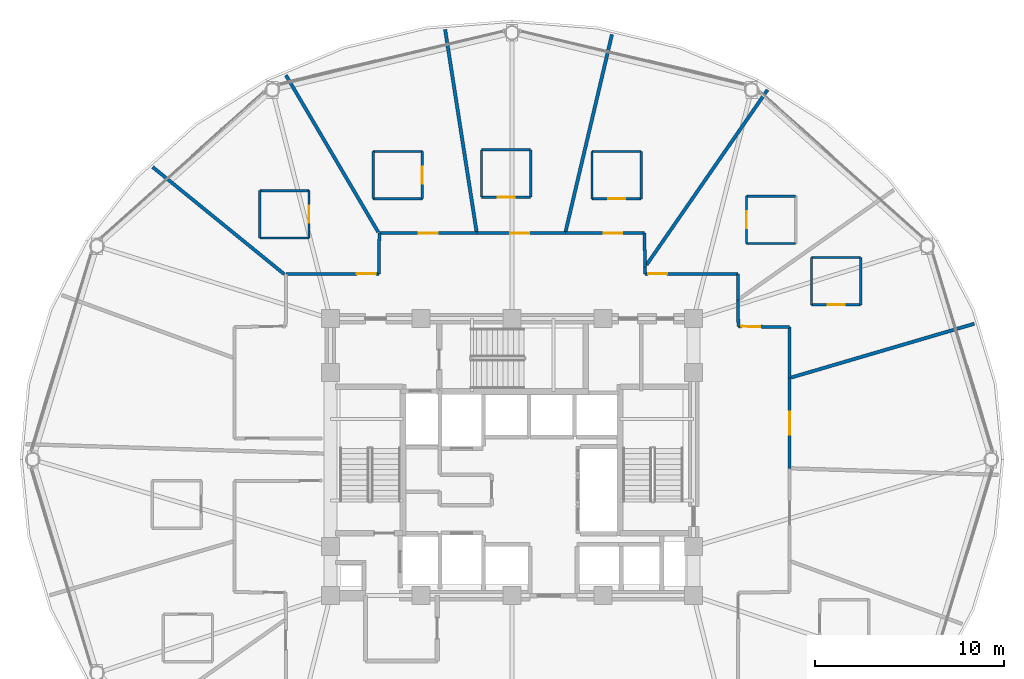
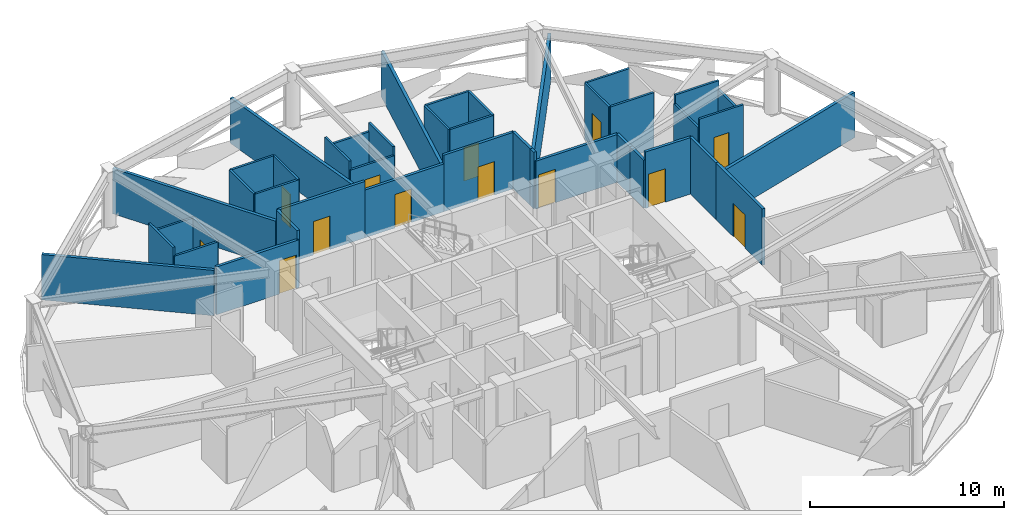
# One storey, part 26 of 31: 42 walls, 13 doors, 13 openings.
"""IFC4 building model written with IfcOpenShell, lengths in metres."""

import ifcopenshell
import ifcopenshell.guid

model = None  # the IFC model being written
_history = None  # IfcOwnerHistory: only IFC2X3 demands one
_inside = {}  # id of a spatial element -> (the spatial element, [elements in it])
_under = {}  # id of a project, library or spatial element -> (it, [spatial elements below it])
_declared = {}  # id of a project -> (the project, [libraries it declares])
_typed = {}  # id of a type object -> (the type object, [elements of that type])
_made_of = {}  # id of a material, layer set ... -> (it, [elements and type objects made of it])


def new_model(schema):
    """Start an empty IFC model of exactly this schema.

    Asked for "IFC4X3", IfcOpenShell would pick the latest addendum, in which some entities
    have other attributes; the version numbers below select the first issue.
    IFC2X3 requires an IfcOwnerHistory on every rooted entity: one is made here for all.
    """
    global model, _history
    if schema == "IFC4X3":
        model = ifcopenshell.file(schema_version=(4, 3, 0, 0))
    else:
        model = ifcopenshell.file(schema=schema)
    _inside.clear()
    _under.clear()
    _declared.clear()
    _typed.clear()
    _made_of.clear()
    _history = None
    if model.schema == "IFC2X3":
        org = make("IfcOrganization", Name="unknown")
        user = make(
            "IfcPersonAndOrganization",
            ThePerson=make("IfcPerson", FamilyName="unknown"),
            TheOrganization=org,
        )
        app = make(
            "IfcApplication",
            ApplicationDeveloper=org,
            Version="unknown",
            ApplicationFullName="unknown",
            ApplicationIdentifier="unknown",
        )
        _history = make(
            "IfcOwnerHistory",
            OwningUser=user,
            OwningApplication=app,
            ChangeAction="ADDED",
            CreationDate=0,
        )
    return model


def make(cls, **values):
    """One entity of the class cls with the attributes given. An attribute that is None is left unset."""
    return model.create_entity(
        cls, **{name: value for name, value in values.items() if value is not None}
    )


def rooted(cls, **values):
    """An entity with a GlobalId (a new one), such as an element, a storey or a relation."""
    return make(cls, GlobalId=ifcopenshell.guid.new(), OwnerHistory=_history, **values)


def si_unit(unit_type, name, prefix=None):
    """IfcSIUnit, for example si_unit("LENGTHUNIT", "METRE", prefix="MILLI")."""
    return make("IfcSIUnit", UnitType=unit_type, Prefix=prefix, Name=name)


def assignment(units):
    """IfcUnitAssignment: the units of a project."""
    return None if units is None else make("IfcUnitAssignment", Units=units)


def point(xyz):
    """IfcCartesianPoint."""
    return None if xyz is None else make("IfcCartesianPoint", Coordinates=xyz)


def direction(xyz):
    """IfcDirection."""
    return None if xyz is None else make("IfcDirection", DirectionRatios=xyz)


def frame(location, z_axis=None, x_axis=None):
    """IfcAxis2Placement3D, a coordinate frame: its origin and axes. An axis left out is left unset."""
    return make(
        "IfcAxis2Placement3D",
        Location=point(location),
        Axis=direction(z_axis),
        RefDirection=direction(x_axis),
    )


def frame_2d(location, x_axis=None):
    """IfcAxis2Placement2D, a coordinate frame in the plane: its origin and x axis."""
    return make(
        "IfcAxis2Placement2D", Location=point(location), RefDirection=direction(x_axis)
    )


def origin():
    """The frame at (0, 0, 0) with its axes left unset."""
    return frame((0.0, 0.0, 0.0))


def place(relative_to, where):
    """IfcLocalPlacement: puts the frame where relative to a parent placement (None: the world)."""
    return make(
        "IfcLocalPlacement", PlacementRelTo=relative_to, RelativePlacement=where
    )


def context(
    kind, dimensions, precision=None, world=None, true_north=None, identifier=None
):
    """IfcGeometricRepresentationContext, for example the 3D "Model" context."""
    return make(
        "IfcGeometricRepresentationContext",
        ContextIdentifier=identifier,
        ContextType=kind,
        CoordinateSpaceDimension=dimensions,
        Precision=precision,
        WorldCoordinateSystem=world,
        TrueNorth=true_north,
    )


def subcontext(parent, identifier, kind, view, scale=None):
    """IfcGeometricRepresentationSubContext, for example "Body" below "Model"."""
    return make(
        "IfcGeometricRepresentationSubContext",
        ContextIdentifier=identifier,
        ContextType=kind,
        ParentContext=parent,
        TargetScale=scale,
        TargetView=view,
    )


def project(units=None, contexts=None):
    """IfcProject with its units and contexts."""
    return rooted(
        "IfcProject",
        Name="project",
        RepresentationContexts=contexts,
        UnitsInContext=assignment(units),
    )


def spatial(cls, under=None, at=None, **own):
    """A site, building, storey or space (cls), placed at a placement, below another one or the project."""
    s = rooted(cls, ObjectPlacement=at, **own)
    if under is not None:
        _under.setdefault(under.id(), (under, []))[1].append(s)
    return s


def profile(cls, at=None, kind="AREA", **sizes):
    """A parametric profile (cls). Its sizes go by their IFC names, for example OverallWidth=200.0."""
    return make(cls, ProfileType=kind, Position=at, **sizes)


def rectangle(**sizes):
    """IfcRectangleProfileDef."""
    return profile("IfcRectangleProfileDef", **sizes)


def extrude(swept, where, along, depth):
    """IfcExtrudedAreaSolid: the profile swept, set in the frame where, extruded along a direction by depth."""
    return make(
        "IfcExtrudedAreaSolid",
        SweptArea=swept,
        Position=where,
        ExtrudedDirection=direction(along),
        Depth=depth,
    )


def shape(context_of_items, identifier, shape_type, items):
    """IfcShapeRepresentation: the items that make up one representation, for example the "Body"."""
    return make(
        "IfcShapeRepresentation",
        ContextOfItems=context_of_items,
        RepresentationIdentifier=identifier,
        RepresentationType=shape_type,
        Items=items,
    )


def material(Name=None, Category=None):
    """IfcMaterial."""
    return make("IfcMaterial", Name=Name, Category=Category)


def layer(
    of_material, thickness, ventilated=None, Name=None, Category=None, Priority=None
):
    """IfcMaterialLayer: one layer of a wall or slab, of a material (None: an air gap)."""
    return make(
        "IfcMaterialLayer",
        Material=of_material,
        LayerThickness=thickness,
        IsVentilated=ventilated,
        Name=Name,
        Category=Category,
        Priority=Priority,
    )


def layer_set(layers, Name=None):
    """IfcMaterialLayerSet."""
    return make("IfcMaterialLayerSet", MaterialLayers=layers, LayerSetName=Name)


def made_of(thing, what):
    """Note that an element or type object is made of a material, layer set ...; save() writes the relation."""
    if what is not None:
        _made_of.setdefault(what.id(), (what, []))[1].append(thing)
    return thing


def type_object(cls, material=None, **own):
    """A type object (cls), such as IfcWallType, which elements share."""
    return made_of(rooted(cls, **own), material)


def element(
    cls,
    number,
    at=None,
    inside=None,
    cuts=None,
    type_object=None,
    material=None,
    context=None,
    identifier="Body",
    shape_type=None,
    held_by="IfcProductDefinitionShape",
    body=None,
    shapes=None,
    **own,
):
    """One element of the class cls, such as IfcWall. Its Tag is "e" and its number.

    at: its placement. inside: the storey or other place that contains it. cuts: it is an
    opening in that element (IfcRelVoidsElement). A single representation is given by context,
    identifier, shape_type and body (its items); several are given by shapes. held_by: the class
    of the entity that holds the representations. save() writes the other relations.
    """
    e = rooted(cls, Tag="e%d" % number, ObjectPlacement=at, **own)
    if body is not None:
        shapes = [shape(context, identifier, shape_type, body)]
    if shapes is not None:
        e.Representation = make(held_by, Representations=shapes)
    if inside is not None:
        _inside.setdefault(inside.id(), (inside, []))[1].append(e)
    if cuts is not None:
        rooted(
            "IfcRelVoidsElement", RelatingBuildingElement=cuts, RelatedOpeningElement=e
        )
    if type_object is not None:
        _typed.setdefault(type_object.id(), (type_object, []))[1].append(e)
    return made_of(e, material)


def fill(opening, filler):
    """IfcRelFillsElement: the door or window that sits in an opening."""
    return rooted(
        "IfcRelFillsElement",
        RelatingOpeningElement=opening,
        RelatedBuildingElement=filler,
    )


def aggregate(whole, parts):
    """IfcRelAggregates: a whole, such as a stair, and the parts it consists of."""
    return rooted("IfcRelAggregates", RelatingObject=whole, RelatedObjects=parts)


def save(model, path):
    """Write the relations noted so far, then the file.

    IfcRelAggregates (storeys below a building ...), IfcRelContainedInSpatialStructure (elements
    in a storey), IfcRelDefinesByType, IfcRelAssociatesMaterial and IfcRelDeclares: one each for
    every whole, place, type object, material and project.
    """
    for whole, parts in _under.values():
        aggregate(whole, parts)
    for where, things in _inside.values():
        rooted(
            "IfcRelContainedInSpatialStructure",
            RelatedElements=things,
            RelatingStructure=where,
        )
    for kind, things in _typed.values():
        rooted("IfcRelDefinesByType", RelatedObjects=things, RelatingType=kind)
    for what, things in _made_of.values():
        rooted("IfcRelAssociatesMaterial", RelatedObjects=things, RelatingMaterial=what)
    for by, libraries in _declared.values():
        rooted("IfcRelDeclares", RelatingContext=by, RelatedDefinitions=libraries)
    model.write(path)


model = new_model("IFC4")

# Units and contexts
model_context = context("Model", 3, precision=1e-05, world=origin(), true_north=direction((0.0, 1.0)))
body_context = subcontext(model_context, "Body", "Model", "MODEL_VIEW")
ifc_project = project(units=[si_unit("LENGTHUNIT", "METRE"), si_unit("AREAUNIT", "SQUARE_METRE"), si_unit("VOLUMEUNIT", "CUBIC_METRE"), si_unit("PLANEANGLEUNIT", "RADIAN"), si_unit("MASSUNIT", "GRAM", prefix="KILO")], contexts=[model_context])

# Site, building, storey
site_placement = place(None, origin())
site = spatial("IfcSite", under=ifc_project, at=site_placement, CompositionType="ELEMENT")
building_placement = place(site_placement, origin())
building = spatial("IfcBuilding", under=site, at=building_placement, Name="Vantalir Tower", CompositionType="ELEMENT")
storey_placement = place(building_placement, frame((0.0, 0.0, 115.949951171875)))
storey = spatial("IfcBuildingStorey", under=building, at=storey_placement, Name="L28", CompositionType="ELEMENT", Elevation=115.949951171875)

# Wall, opening, door
ifc_material_1 = material(Name="Moisture-resistant en-suite partition", Category="gypsum")
ifc_layer_1 = layer(ifc_material_1, 0.125)
ifc_layer_set_1 = layer_set([ifc_layer_1], Name="Moisture-resistant en-suite partition")
wall_type_1 = type_object("IfcWallType", Name="WL-BATH-125", PredefinedType="PARTITIONING", material=ifc_layer_set_1)
wall_1_placement = place(storey_placement, frame((47.333984375, 33.18310546875, 0.0), z_axis=(0.0, 0.0, 1.0), x_axis=(1.0, 0.0, 0.0)))
wall_1 = element("IfcWall", 1, at=wall_1_placement, inside=storey, type_object=wall_type_1, Name="L28 En-suite 01 South Wall", PredefinedType="PARTITIONING", context=body_context, shape_type="SweptSolid", body=[
    extrude(rectangle(XDim=2.60009765625, YDim=0.125, at=frame_2d((1.300048828125, 0.0))), origin(), (0.0, 0.0, 1.0), 3.550048828125),
])
opening_1_placement = place(wall_1_placement, frame((0.85009765625, 0.0, 0.0)))
opening_1 = element("IfcOpeningElement", 2, at=opening_1_placement, cuts=wall_1, Name="Opening D-WC", PredefinedType="OPENING", context=body_context, shape_type="SweptSolid", body=[
    extrude(rectangle(XDim=0.89990234375, YDim=2.10009765625, at=frame_2d((0.449951171875, 1.050048828125))), frame((0.0, 0.072509765625, 0.0), z_axis=(0.0, -1.0, 0.0), x_axis=(1.0, 0.0, 0.0)), (0.0, 0.0, 1.0), 0.14501953125),
])
ifc_material_2 = material(Name="Moisture-resistant hardwood door", Category="wood")
door_type_1 = type_object("IfcDoorType", Name="DR-ENSUITE-900", OperationType="NOTDEFINED", PredefinedType="DOOR", material=ifc_material_2)
door_1_placement = place(opening_1_placement, origin())
door_1 = element("IfcDoor", 3, at=door_1_placement, inside=storey, type_object=door_type_1, Name="L28 En-suite 01 Door", OperationType="SINGLE_SWING_RIGHT", OverallHeight=2.10009765625, OverallWidth=0.89990234375, PredefinedType="DOOR", context=body_context, shape_type="SweptSolid", body=[
    extrude(rectangle(XDim=0.89990234375, YDim=2.10009765625, at=frame_2d((0.449951171875, 1.050048828125))), frame((0.0, 0.02490234375, 0.0), z_axis=(0.0, -1.0, 0.0), x_axis=(1.0, 0.0, 0.0)), (0.0, 0.0, 1.0), 0.050048828125),
])
fill(opening_1, door_1)

# Walls
wall_2_placement = place(storey_placement, frame((47.333984375, 35.68310546875, 0.0), z_axis=(0.0, 0.0, 1.0), x_axis=(1.0, 0.0, 0.0)))
element("IfcWall", 4, at=wall_2_placement, inside=storey, type_object=wall_type_1, Name="L28 En-suite 01 North Wall", PredefinedType="PARTITIONING", context=body_context, shape_type="SweptSolid", body=[
    extrude(rectangle(XDim=2.60009765625, YDim=0.125, at=frame_2d((1.300048828125, 0.0))), origin(), (0.0, 0.0, 1.0), 3.550048828125),
])
for number, where, z_axis, x_axis, name in (
    (5, (47.333984375, 33.18310546875, 0.0), (0.0, 0.0, 1.0), (0.0, 1.0, 0.0), "L28 En-suite 01 West Wall"),
    (6, (49.93408203125, 33.18310546875, 0.0), (0.0, 0.0, 1.0), (0.0, 1.0, 0.0), "L28 En-suite 01 East Wall"),
):
    element("IfcWall", number, at=place(storey_placement, frame(where, z_axis=z_axis, x_axis=x_axis)), inside=storey, type_object=wall_type_1, Name=name, PredefinedType="PARTITIONING", context=body_context, shape_type="SweptSolid", body=[
        extrude(rectangle(XDim=2.5, YDim=0.125, at=frame_2d((1.25, 0.0))), origin(), (0.0, 0.0, 1.0), 3.006103515625),
    ])
for number, where, z_axis, x_axis, name in (
    (7, (43.89892578125, 36.424072265625, 0.0), (0.0, 0.0, 1.0), (1.0, 0.0, 0.0), "L28 En-suite 02 South Wall"),
    (8, (43.89892578125, 38.924072265625, 0.0), (0.0, 0.0, 1.0), (1.0, 0.0, 0.0), "L28 En-suite 02 North Wall"),
):
    element("IfcWall", number, at=place(storey_placement, frame(where, z_axis=z_axis, x_axis=x_axis)), inside=storey, type_object=wall_type_1, Name=name, PredefinedType="PARTITIONING", context=body_context, shape_type="SweptSolid", body=[
        extrude(rectangle(XDim=2.60009765625, YDim=0.125, at=frame_2d((1.300048828125, 0.0))), origin(), (0.0, 0.0, 1.0), 3.550048828125),
    ])

# Wall, opening, door
wall_3_placement = place(storey_placement, frame((43.89892578125, 36.424072265625, 0.0), z_axis=(0.0, 0.0, 1.0), x_axis=(0.0, 1.0, 0.0)))
wall_3 = element("IfcWall", 9, at=wall_3_placement, inside=storey, type_object=wall_type_1, Name="L28 En-suite 02 West Wall", PredefinedType="PARTITIONING", context=body_context, shape_type="SweptSolid", body=[
    extrude(rectangle(XDim=2.5, YDim=0.125, at=frame_2d((1.25, 0.0))), origin(), (0.0, 0.0, 1.0), 3.550048828125),
])
opening_2_placement = place(wall_3_placement, frame((0.800048828125, 0.0, 0.0)))
opening_2 = element("IfcOpeningElement", 10, at=opening_2_placement, cuts=wall_3, Name="Opening D-WC", PredefinedType="OPENING", context=body_context, shape_type="SweptSolid", body=[
    extrude(rectangle(XDim=0.89990234375, YDim=2.10009765625, at=frame_2d((0.449951171875, 1.050048828125))), frame((0.0, 0.072509765625, 0.0), z_axis=(0.0, -1.0, 0.0), x_axis=(1.0, 0.0, 0.0)), (0.0, 0.0, 1.0), 0.14501953125),
])
door_2_placement = place(opening_2_placement, frame((0.89990234375, 0.0, 0.0), z_axis=(0.0, 0.0, 1.0), x_axis=(-1.0, 0.0, 0.0)))
door_2 = element("IfcDoor", 11, at=door_2_placement, inside=storey, type_object=door_type_1, Name="L28 En-suite 02 Door", OperationType="SINGLE_SWING_LEFT", OverallHeight=2.10009765625, OverallWidth=0.89990234375, PredefinedType="DOOR", context=body_context, shape_type="SweptSolid", body=[
    extrude(rectangle(XDim=0.89990234375, YDim=2.10009765625, at=frame_2d((0.449951171875, 1.050048828125))), frame((0.0, 0.02490234375, 0.0), z_axis=(0.0, -1.0, 0.0), x_axis=(1.0, 0.0, 0.0)), (0.0, 0.0, 1.0), 0.050048828125),
])
fill(opening_2, door_2)

wall_4_placement = place(storey_placement, frame((35.72998046875, 38.784912109375, 0.0), z_axis=(0.0, 0.0, 1.0), x_axis=(1.0, 0.0, 0.0)))
wall_4 = element("IfcWall", 12, at=wall_4_placement, inside=storey, type_object=wall_type_1, Name="L28 En-suite 03 South Wall", PredefinedType="PARTITIONING", context=body_context, shape_type="SweptSolid", body=[
    extrude(rectangle(XDim=2.60009765625, YDim=0.125, at=frame_2d((1.300048828125, 0.0))), origin(), (0.0, 0.0, 1.0), 3.550048828125),
])
opening_3_placement = place(wall_4_placement, frame((0.85009765625, 0.0, 0.0)))
opening_3 = element("IfcOpeningElement", 13, at=opening_3_placement, cuts=wall_4, Name="Opening D-WC", PredefinedType="OPENING", context=body_context, shape_type="SweptSolid", body=[
    extrude(rectangle(XDim=0.89990234375, YDim=2.10009765625, at=frame_2d((0.449951171875, 1.050048828125))), frame((0.0, 0.072509765625, 0.0), z_axis=(0.0, -1.0, 0.0), x_axis=(1.0, 0.0, 0.0)), (0.0, 0.0, 1.0), 0.14501953125),
])
door_3_placement = place(opening_3_placement, origin())
door_3 = element("IfcDoor", 14, at=door_3_placement, inside=storey, type_object=door_type_1, Name="L28 En-suite 03 Door", OperationType="SINGLE_SWING_RIGHT", OverallHeight=2.10009765625, OverallWidth=0.89990234375, PredefinedType="DOOR", context=body_context, shape_type="SweptSolid", body=[
    extrude(rectangle(XDim=0.89990234375, YDim=2.10009765625, at=frame_2d((0.449951171875, 1.050048828125))), frame((0.0, 0.02490234375, 0.0), z_axis=(0.0, -1.0, 0.0), x_axis=(1.0, 0.0, 0.0)), (0.0, 0.0, 1.0), 0.050048828125),
])
fill(opening_3, door_3)

# Walls
wall_5_placement = place(storey_placement, frame((35.72998046875, 41.284912109375, 0.0), z_axis=(0.0, 0.0, 1.0), x_axis=(1.0, 0.0, 0.0)))
element("IfcWall", 15, at=wall_5_placement, inside=storey, type_object=wall_type_1, Name="L28 En-suite 03 North Wall", PredefinedType="PARTITIONING", context=body_context, shape_type="SweptSolid", body=[
    extrude(rectangle(XDim=2.60009765625, YDim=0.125, at=frame_2d((1.300048828125, 0.0))), origin(), (0.0, 0.0, 1.0), 3.550048828125),
])
for number, where, z_axis, x_axis, name in (
    (16, (35.72998046875, 38.784912109375, 0.0), (0.0, 0.0, 1.0), (0.0, 1.0, 0.0), "L28 En-suite 03 West Wall"),
    (17, (38.330078125, 38.784912109375, 0.0), (0.0, 0.0, 1.0), (0.0, 1.0, 0.0), "L28 En-suite 03 East Wall"),
):
    element("IfcWall", number, at=place(storey_placement, frame(where, z_axis=z_axis, x_axis=x_axis)), inside=storey, type_object=wall_type_1, Name=name, PredefinedType="PARTITIONING", context=body_context, shape_type="SweptSolid", body=[
        extrude(rectangle(XDim=2.5, YDim=0.125, at=frame_2d((1.25, 0.0))), origin(), (0.0, 0.0, 1.0), 3.550048828125),
    ])

# Wall, opening, door
wall_6_placement = place(storey_placement, frame((29.887939453125, 38.875, 0.0), z_axis=(0.0, 0.0, 1.0), x_axis=(1.0, 0.0, 0.0)))
wall_6 = element("IfcWall", 18, at=wall_6_placement, inside=storey, type_object=wall_type_1, Name="L28 En-suite 04 South Wall", PredefinedType="PARTITIONING", context=body_context, shape_type="SweptSolid", body=[
    extrude(rectangle(XDim=2.60009765625, YDim=0.125, at=frame_2d((1.300048828125, 0.0))), origin(), (0.0, 0.0, 1.0), 3.006103515625),
])
opening_4_placement = place(wall_6_placement, frame((0.85009765625, 0.0, 0.0)))
opening_4 = element("IfcOpeningElement", 19, at=opening_4_placement, cuts=wall_6, Name="Opening D-WC", PredefinedType="OPENING", context=body_context, shape_type="SweptSolid", body=[
    extrude(rectangle(XDim=0.89990234375, YDim=2.10009765625, at=frame_2d((0.449951171875, 1.050048828125))), frame((0.0, 0.072509765625, 0.0), z_axis=(0.0, -1.0, 0.0), x_axis=(1.0, 0.0, 0.0)), (0.0, 0.0, 1.0), 0.14501953125),
])
door_4_placement = place(opening_4_placement, origin())
door_4 = element("IfcDoor", 20, at=door_4_placement, inside=storey, type_object=door_type_1, Name="L28 En-suite 04 Door", OperationType="SINGLE_SWING_LEFT", OverallHeight=2.10009765625, OverallWidth=0.89990234375, PredefinedType="DOOR", context=body_context, shape_type="SweptSolid", body=[
    extrude(rectangle(XDim=0.89990234375, YDim=2.10009765625, at=frame_2d((0.449951171875, 1.050048828125))), frame((0.0, 0.02490234375, 0.0), z_axis=(0.0, -1.0, 0.0), x_axis=(1.0, 0.0, 0.0)), (0.0, 0.0, 1.0), 0.050048828125),
])
fill(opening_4, door_4)

# Walls
wall_7_placement = place(storey_placement, frame((29.887939453125, 41.375, 0.0), z_axis=(0.0, 0.0, 1.0), x_axis=(1.0, 0.0, 0.0)))
element("IfcWall", 21, at=wall_7_placement, inside=storey, type_object=wall_type_1, Name="L28 En-suite 04 North Wall", PredefinedType="PARTITIONING", context=body_context, shape_type="SweptSolid", body=[
    extrude(rectangle(XDim=2.60009765625, YDim=0.125, at=frame_2d((1.300048828125, 0.0))), origin(), (0.0, 0.0, 1.0), 3.006103515625),
])
for number, where, z_axis, x_axis, name in (
    (22, (29.887939453125, 38.875, 0.0), (0.0, 0.0, 1.0), (0.0, 1.0, 0.0), "L28 En-suite 04 West Wall"),
    (23, (32.488037109375, 38.875, 0.0), (0.0, 0.0, 1.0), (0.0, 1.0, 0.0), "L28 En-suite 04 East Wall"),
):
    element("IfcWall", number, at=place(storey_placement, frame(where, z_axis=z_axis, x_axis=x_axis)), inside=storey, type_object=wall_type_1, Name=name, PredefinedType="PARTITIONING", context=body_context, shape_type="SweptSolid", body=[
        extrude(rectangle(XDim=2.5, YDim=0.125, at=frame_2d((1.25, 0.0))), origin(), (0.0, 0.0, 1.0), 3.550048828125),
    ])
for number, where, z_axis, x_axis, name in (
    (24, (24.162109375, 38.791015625, 0.0), (0.0, 0.0, 1.0), (1.0, 0.0, 0.0), "L28 En-suite 05 South Wall"),
    (25, (24.162109375, 41.291015625, 0.0), (0.0, 0.0, 1.0), (1.0, 0.0, 0.0), "L28 En-suite 05 North Wall"),
):
    element("IfcWall", number, at=place(storey_placement, frame(where, z_axis=z_axis, x_axis=x_axis)), inside=storey, type_object=wall_type_1, Name=name, PredefinedType="PARTITIONING", context=body_context, shape_type="SweptSolid", body=[
        extrude(rectangle(XDim=2.599853515625, YDim=0.125, at=frame_2d((1.2998046875, 0.0))), origin(), (0.0, 0.0, 1.0), 3.550048828125),
    ])
wall_8_placement = place(storey_placement, frame((24.162109375, 38.791015625, 0.0), z_axis=(0.0, 0.0, 1.0), x_axis=(0.0, 1.0, 0.0)))
element("IfcWall", 26, at=wall_8_placement, inside=storey, type_object=wall_type_1, Name="L28 En-suite 05 West Wall", PredefinedType="PARTITIONING", context=body_context, shape_type="SweptSolid", body=[
    extrude(rectangle(XDim=2.5, YDim=0.125, at=frame_2d((1.25, 0.0))), origin(), (0.0, 0.0, 1.0), 3.550048828125),
])

# Wall, opening, door
wall_9_placement = place(storey_placement, frame((26.761962890625, 38.791015625, 0.0), z_axis=(0.0, 0.0, 1.0), x_axis=(0.0, 1.0, 0.0)))
wall_9 = element("IfcWall", 27, at=wall_9_placement, inside=storey, type_object=wall_type_1, Name="L28 En-suite 05 East Wall", PredefinedType="PARTITIONING", context=body_context, shape_type="SweptSolid", body=[
    extrude(rectangle(XDim=2.5, YDim=0.125, at=frame_2d((1.25, 0.0))), origin(), (0.0, 0.0, 1.0), 3.550048828125),
])
opening_5_placement = place(wall_9_placement, frame((0.800048828125, 0.0, 0.0)))
opening_5 = element("IfcOpeningElement", 28, at=opening_5_placement, cuts=wall_9, Name="Opening D-WC", PredefinedType="OPENING", context=body_context, shape_type="SweptSolid", body=[
    extrude(rectangle(XDim=0.89990234375, YDim=2.10009765625, at=frame_2d((0.449951171875, 1.050048828125))), frame((0.0, 0.072509765625, 0.0), z_axis=(0.0, -1.0, 0.0), x_axis=(1.0, 0.0, 0.0)), (0.0, 0.0, 1.0), 0.14501953125),
])
door_5_placement = place(opening_5_placement, origin())
door_5 = element("IfcDoor", 29, at=door_5_placement, inside=storey, type_object=door_type_1, Name="L28 En-suite 05 Door", OperationType="SINGLE_SWING_RIGHT", OverallHeight=2.10009765625, OverallWidth=0.89990234375, PredefinedType="DOOR", context=body_context, shape_type="SweptSolid", body=[
    extrude(rectangle(XDim=0.89990234375, YDim=2.10009765625, at=frame_2d((0.449951171875, 1.050048828125))), frame((0.0, 0.02490234375, 0.0), z_axis=(0.0, -1.0, 0.0), x_axis=(1.0, 0.0, 0.0)), (0.0, 0.0, 1.0), 0.050048828125),
])
fill(opening_5, door_5)

# Walls
for number, where, z_axis, x_axis, name in (
    (30, (18.166015625, 36.715087890625, 0.0), (0.0, 0.0, 1.0), (1.0, 0.0, 0.0), "L28 En-suite 06 South Wall"),
    (31, (18.166015625, 39.215087890625, 0.0), (0.0, 0.0, 1.0), (1.0, 0.0, 0.0), "L28 En-suite 06 North Wall"),
):
    element("IfcWall", number, at=place(storey_placement, frame(where, z_axis=z_axis, x_axis=x_axis)), inside=storey, type_object=wall_type_1, Name=name, PredefinedType="PARTITIONING", context=body_context, shape_type="SweptSolid", body=[
        extrude(rectangle(XDim=2.60009765625, YDim=0.125, at=frame_2d((1.300048828125, 0.0))), origin(), (0.0, 0.0, 1.0), 3.006103515625),
    ])
wall_10_placement = place(storey_placement, frame((18.166015625, 36.715087890625, 0.0), z_axis=(0.0, 0.0, 1.0), x_axis=(0.0, 1.0, 0.0)))
element("IfcWall", 32, at=wall_10_placement, inside=storey, type_object=wall_type_1, Name="L28 En-suite 06 West Wall", PredefinedType="PARTITIONING", context=body_context, shape_type="SweptSolid", body=[
    extrude(rectangle(XDim=2.5, YDim=0.125, at=frame_2d((1.25, 0.0))), origin(), (0.0, 0.0, 1.0), 3.550048828125),
])

# Wall, opening, door
wall_11_placement = place(storey_placement, frame((20.76611328125, 36.715087890625, 0.0), z_axis=(0.0, 0.0, 1.0), x_axis=(0.0, 1.0, 0.0)))
wall_11 = element("IfcWall", 33, at=wall_11_placement, inside=storey, type_object=wall_type_1, Name="L28 En-suite 06 East Wall", PredefinedType="PARTITIONING", context=body_context, shape_type="SweptSolid", body=[
    extrude(rectangle(XDim=2.5, YDim=0.125, at=frame_2d((1.25, 0.0))), origin(), (0.0, 0.0, 1.0), 3.006103515625),
])
opening_6_placement = place(wall_11_placement, frame((0.800048828125, 0.0, 0.0)))
opening_6 = element("IfcOpeningElement", 34, at=opening_6_placement, cuts=wall_11, Name="Opening D-WC", PredefinedType="OPENING", context=body_context, shape_type="SweptSolid", body=[
    extrude(rectangle(XDim=0.89990234375, YDim=2.10009765625, at=frame_2d((0.449951171875, 1.050048828125))), frame((0.0, 0.072509765625, 0.0), z_axis=(0.0, -1.0, 0.0), x_axis=(1.0, 0.0, 0.0)), (0.0, 0.0, 1.0), 0.14501953125),
])
door_6_placement = place(opening_6_placement, origin())
door_6 = element("IfcDoor", 35, at=door_6_placement, inside=storey, type_object=door_type_1, Name="L28 En-suite 06 Door", OperationType="SINGLE_SWING_LEFT", OverallHeight=2.10009765625, OverallWidth=0.89990234375, PredefinedType="DOOR", context=body_context, shape_type="SweptSolid", body=[
    extrude(rectangle(XDim=0.89990234375, YDim=2.10009765625, at=frame_2d((0.449951171875, 1.050048828125))), frame((0.0, 0.02490234375, 0.0), z_axis=(0.0, -1.0, 0.0), x_axis=(1.0, 0.0, 0.0)), (0.0, 0.0, 1.0), 0.050048828125),
])
fill(opening_6, door_6)

ifc_material_3 = material(Name="Fire-rated hotel corridor acoustic partition", Category="gypsum")
ifc_layer_2 = layer(ifc_material_3, 0.159912109375)
ifc_layer_set_2 = layer_set([ifc_layer_2], Name="Fire-rated hotel corridor acoustic partition")
wall_type_2 = type_object("IfcWallType", Name="WL-CORR-160", PredefinedType="PARTITIONING", material=ifc_layer_set_2)
wall_12_placement = place(storey_placement, frame((19.56005859375, 34.81201171875, 0.0), z_axis=(0.0, 0.0, 1.0), x_axis=(0.999999821253, 0.000597907217, 0.0)))
wall_12 = element("IfcWall", 36, at=wall_12_placement, inside=storey, type_object=wall_type_2, Name="L28 Corridor Partition 06", PredefinedType="PARTITIONING", context=body_context, shape_type="SweptSolid", body=[
    extrude(rectangle(XDim=4.89990234375, YDim=0.159912109375, at=frame_2d((2.449951171875, 0.0))), origin(), (0.0, 0.0, 1.0), 3.006103515625),
])
opening_7_placement = place(wall_12_placement, frame((3.739990234375, 0.0, 0.0)))
opening_7 = element("IfcOpeningElement", 37, at=opening_7_placement, cuts=wall_12, Name="Opening D-GUEST", PredefinedType="OPENING", context=body_context, shape_type="SweptSolid", body=[
    extrude(rectangle(XDim=1.0, YDim=2.10009765625, at=frame_2d((0.5, 1.050048828125))), frame((0.0, 0.08984375, 0.0), z_axis=(0.0, -1.0, 0.0), x_axis=(1.0, 0.0, 0.0)), (0.0, 0.0, 1.0), 0.179931640625),
])
ifc_material_4 = material(Name="Solid-core teak veneer acoustic fire door", Category="wood")
door_type_2 = type_object("IfcDoorType", Name="DR-GUEST-ENTRY-1000", OperationType="NOTDEFINED", PredefinedType="DOOR", material=ifc_material_4)
door_7_placement = place(opening_7_placement, origin())
door_7 = element("IfcDoor", 38, at=door_7_placement, inside=storey, type_object=door_type_2, Name="L28 Deluxe King Hotel Room 06 Door", OperationType="SINGLE_SWING_LEFT", OverallHeight=2.10009765625, OverallWidth=1.0, PredefinedType="DOOR", context=body_context, shape_type="SweptSolid", body=[
    extrude(rectangle(XDim=1.0, YDim=2.10009765625, at=frame_2d((0.5, 1.050048828125))), frame((0.0, 0.02490234375, 0.0), z_axis=(0.0, -1.0, 0.0), x_axis=(1.0, 0.0, 0.0)), (0.0, 0.0, 1.0), 0.050048828125),
])
fill(opening_7, door_7)

# Wall
wall_13_placement = place(storey_placement, frame((24.4599609375, 34.81494140625, 0.0), z_axis=(0.0, 0.0, 1.0), x_axis=(0.011645524132, 0.999932188585, 0.0)))
element("IfcWall", 39, at=wall_13_placement, inside=storey, type_object=wall_type_2, Name="L28 Corridor Partition 07", PredefinedType="PARTITIONING", context=body_context, shape_type="SweptSolid", body=[
    extrude(rectangle(XDim=2.159423828125, YDim=0.159912109375, at=frame_2d((1.07958984375, 0.0))), origin(), (0.0, 0.0, 1.0), 3.550048828125),
])

# Wall, opening, door
wall_14_placement = place(storey_placement, frame((24.485107421875, 36.97412109375, 0.0), z_axis=(0.0, 0.0, 1.0), x_axis=(0.999999928165, 0.000379039109, 0.0)))
wall_14 = element("IfcWall", 40, at=wall_14_placement, inside=storey, type_object=wall_type_2, Name="L28 Corridor Partition 08", PredefinedType="PARTITIONING", context=body_context, shape_type="SweptSolid", body=[
    extrude(rectangle(XDim=5.15283203125, YDim=0.159912109375, at=frame_2d((2.576416015625, 0.0))), origin(), (0.0, 0.0, 1.0), 3.550048828125),
])
opening_8_placement = place(wall_14_placement, frame((2.076904296875, 0.0, 0.0)))
opening_8 = element("IfcOpeningElement", 41, at=opening_8_placement, cuts=wall_14, Name="Opening D-GUEST", PredefinedType="OPENING", context=body_context, shape_type="SweptSolid", body=[
    extrude(rectangle(XDim=1.0, YDim=2.10009765625, at=frame_2d((0.5, 1.050048828125))), frame((0.0, 0.08984375, 0.0), z_axis=(0.0, -1.0, 0.0), x_axis=(1.0, 0.0, 0.0)), (0.0, 0.0, 1.0), 0.179931640625),
])
door_8_placement = place(opening_8_placement, origin())
door_8 = element("IfcDoor", 42, at=door_8_placement, inside=storey, type_object=door_type_2, Name="L28 Twin Queen Hotel Room 05 Door", OperationType="SINGLE_SWING_RIGHT", OverallHeight=2.10009765625, OverallWidth=1.0, PredefinedType="DOOR", context=body_context, shape_type="SweptSolid", body=[
    extrude(rectangle(XDim=1.0, YDim=2.10009765625, at=frame_2d((0.5, 1.050048828125))), frame((0.0, 0.02490234375, 0.0), z_axis=(0.0, -1.0, 0.0), x_axis=(1.0, 0.0, 0.0)), (0.0, 0.0, 1.0), 0.050048828125),
])
fill(opening_8, door_8)

wall_15_placement = place(storey_placement, frame((29.637939453125, 36.97607421875, 0.0), z_axis=(0.0, 0.0, 1.0), x_axis=(1.0, 0.0, 0.0)))
wall_15 = element("IfcWall", 43, at=wall_15_placement, inside=storey, type_object=wall_type_2, Name="L28 Corridor Partition 09", PredefinedType="PARTITIONING", context=body_context, shape_type="SweptSolid", body=[
    extrude(rectangle(XDim=4.677978515625, YDim=0.159912109375, at=frame_2d((2.3388671875, 0.0))), origin(), (0.0, 0.0, 1.0), 3.006103515625),
])
opening_9_placement = place(wall_15_placement, frame((1.76611328125, 0.0, 0.0)))
opening_9 = element("IfcOpeningElement", 44, at=opening_9_placement, cuts=wall_15, Name="Opening D-GUEST", PredefinedType="OPENING", context=body_context, shape_type="SweptSolid", body=[
    extrude(rectangle(XDim=1.0, YDim=2.10009765625, at=frame_2d((0.5, 1.050048828125))), frame((0.0, 0.08984375, 0.0), z_axis=(0.0, -1.0, 0.0), x_axis=(1.0, 0.0, 0.0)), (0.0, 0.0, 1.0), 0.179931640625),
])
door_9_placement = place(opening_9_placement, origin())
door_9 = element("IfcDoor", 45, at=door_9_placement, inside=storey, type_object=door_type_2, Name="L28 Twin Queen Hotel Room 04 Door", OperationType="SINGLE_SWING_LEFT", OverallHeight=2.10009765625, OverallWidth=1.0, PredefinedType="DOOR", context=body_context, shape_type="SweptSolid", body=[
    extrude(rectangle(XDim=1.0, YDim=2.10009765625, at=frame_2d((0.5, 1.050048828125))), frame((0.0, 0.02490234375, 0.0), z_axis=(0.0, -1.0, 0.0), x_axis=(1.0, 0.0, 0.0)), (0.0, 0.0, 1.0), 0.050048828125),
])
fill(opening_9, door_9)

wall_16_placement = place(storey_placement, frame((34.31591796875, 36.97607421875, 0.0), z_axis=(0.0, 0.0, 1.0), x_axis=(0.999999972813, 0.000233181759, 0.0)))
wall_16 = element("IfcWall", 46, at=wall_16_placement, inside=storey, type_object=wall_type_2, Name="L28 Corridor Partition 10", PredefinedType="PARTITIONING", context=body_context, shape_type="SweptSolid", body=[
    extrude(rectangle(XDim=4.18798828125, YDim=0.159912109375, at=frame_2d((2.093994140625, 0.0))), origin(), (0.0, 0.0, 1.0), 3.550048828125),
])
opening_10_placement = place(wall_16_placement, frame((2.02392578125, 0.0, 0.0)))
opening_10 = element("IfcOpeningElement", 47, at=opening_10_placement, cuts=wall_16, Name="Opening D-GUEST", PredefinedType="OPENING", context=body_context, shape_type="SweptSolid", body=[
    extrude(rectangle(XDim=1.0, YDim=2.10009765625, at=frame_2d((0.5, 1.050048828125))), frame((0.0, 0.08984375, 0.0), z_axis=(0.0, -1.0, 0.0), x_axis=(1.0, 0.0, 0.0)), (0.0, 0.0, 1.0), 0.179931640625),
])
door_10_placement = place(opening_10_placement, origin())
door_10 = element("IfcDoor", 48, at=door_10_placement, inside=storey, type_object=door_type_2, Name="L28 Deluxe King Hotel Room 03 Door", OperationType="SINGLE_SWING_RIGHT", OverallHeight=2.10009765625, OverallWidth=1.0, PredefinedType="DOOR", context=body_context, shape_type="SweptSolid", body=[
    extrude(rectangle(XDim=1.0, YDim=2.10009765625, at=frame_2d((0.5, 1.050048828125))), frame((0.0, 0.02490234375, 0.0), z_axis=(0.0, -1.0, 0.0), x_axis=(1.0, 0.0, 0.0)), (0.0, 0.0, 1.0), 0.050048828125),
])
fill(opening_10, door_10)

# Walls
wall_17_placement = place(storey_placement, frame((38.50390625, 36.97705078125, 0.0), z_axis=(0.0, 0.0, 1.0), x_axis=(0.016671127333, -0.9998610271, 0.0)))
element("IfcWall", 49, at=wall_17_placement, inside=storey, type_object=wall_type_2, Name="L28 Corridor Partition 11", PredefinedType="PARTITIONING", context=body_context, shape_type="SweptSolid", body=[
    extrude(rectangle(XDim=1.80126953125, YDim=0.159912109375, at=frame_2d((0.900634765625, 0.0))), origin(), (0.0, 0.0, 1.0), 3.550048828125),
])
wall_18_placement = place(storey_placement, frame((38.533935546875, 35.176025390625, 0.0), z_axis=(0.0, 0.0, 1.0), x_axis=(0.016900898743, -0.999857169611, 0.0)))
element("IfcWall", 50, at=wall_18_placement, inside=storey, type_object=wall_type_2, Name="L28 Corridor Partition 12", PredefinedType="PARTITIONING", context=body_context, shape_type="SweptSolid", body=[
    extrude(rectangle(XDim=0.361083984375, YDim=0.159912109375, at=frame_2d((0.1806640625, 0.0))), origin(), (0.0, 0.0, 1.0), 3.550048828125),
])

# Wall, opening, door
wall_19_placement = place(storey_placement, frame((38.5400390625, 34.81494140625, 0.0), z_axis=(0.0, 0.0, 1.0), x_axis=(0.999999029632, -0.001393102783, 0.0)))
wall_19 = element("IfcWall", 51, at=wall_19_placement, inside=storey, type_object=wall_type_2, Name="L28 Corridor Partition 13", PredefinedType="PARTITIONING", context=body_context, shape_type="SweptSolid", body=[
    extrude(rectangle(XDim=4.906982421875, YDim=0.159912109375, at=frame_2d((2.45361328125, 0.0))), origin(), (0.0, 0.0, 1.0), 3.006103515625),
])
opening_11_placement = place(wall_19_placement, frame((0.159912109375, 0.0, 0.0)))
opening_11 = element("IfcOpeningElement", 52, at=opening_11_placement, cuts=wall_19, Name="Opening D-GUEST", PredefinedType="OPENING", context=body_context, shape_type="SweptSolid", body=[
    extrude(rectangle(XDim=1.0, YDim=2.10009765625, at=frame_2d((0.5, 1.050048828125))), frame((0.0, 0.08984375, 0.0), z_axis=(0.0, -1.0, 0.0), x_axis=(1.0, 0.0, 0.0)), (0.0, 0.0, 1.0), 0.179931640625),
])
door_11_placement = place(opening_11_placement, origin())
door_11 = element("IfcDoor", 53, at=door_11_placement, inside=storey, type_object=door_type_2, Name="L28 Deluxe King Hotel Room 02 Door", OperationType="SINGLE_SWING_LEFT", OverallHeight=2.10009765625, OverallWidth=1.0, PredefinedType="DOOR", context=body_context, shape_type="SweptSolid", body=[
    extrude(rectangle(XDim=1.0, YDim=2.10009765625, at=frame_2d((0.5, 1.050048828125))), frame((0.0, 0.02490234375, 0.0), z_axis=(0.0, -1.0, 0.0), x_axis=(1.0, 0.0, 0.0)), (0.0, 0.0, 1.0), 0.050048828125),
])
fill(opening_11, door_11)

# Walls
wall_20_placement = place(storey_placement, frame((43.447021484375, 34.80810546875, 0.0), z_axis=(0.0, 0.0, 1.0), x_axis=(0.006622371337, -0.999978071859, 0.0)))
element("IfcWall", 54, at=wall_20_placement, inside=storey, type_object=wall_type_2, Name="L28 Corridor Partition 14", PredefinedType="PARTITIONING", context=body_context, shape_type="SweptSolid", body=[
    extrude(rectangle(XDim=1.364013671875, YDim=0.159912109375, at=frame_2d((0.68212890625, 0.0))), origin(), (0.0, 0.0, 1.0), 3.006103515625),
])
wall_21_placement = place(storey_placement, frame((43.4560546875, 33.444091796875, 0.0), z_axis=(0.0, 0.0, 1.0), x_axis=(0.006433530564, -0.999979304628, 0.0)))
element("IfcWall", 55, at=wall_21_placement, inside=storey, type_object=wall_type_2, Name="L28 Corridor Partition 15", PredefinedType="PARTITIONING", context=body_context, shape_type="SweptSolid", body=[
    extrude(rectangle(XDim=1.404052734375, YDim=0.159912109375, at=frame_2d((0.7021484375, 0.0))), origin(), (0.0, 0.0, 1.0), 3.006103515625),
])

# Wall, opening, door
wall_22_placement = place(storey_placement, frame((43.465087890625, 32.0400390625, 0.0), z_axis=(0.0, 0.0, 1.0), x_axis=(0.999891263015, -0.014746597764, 0.0)))
wall_22 = element("IfcWall", 56, at=wall_22_placement, inside=storey, type_object=wall_type_2, Name="L28 Corridor Partition 16", PredefinedType="PARTITIONING", context=body_context, shape_type="SweptSolid", body=[
    extrude(rectangle(XDim=2.715087890625, YDim=0.159912109375, at=frame_2d((1.357421875, 0.0))), origin(), (0.0, 0.0, 1.0), 3.550048828125),
])
opening_12_placement = place(wall_22_placement, frame((0.159912109375, 0.0, 0.0)))
opening_12 = element("IfcOpeningElement", 57, at=opening_12_placement, cuts=wall_22, Name="Opening D-GUEST", PredefinedType="OPENING", context=body_context, shape_type="SweptSolid", body=[
    extrude(rectangle(XDim=1.0, YDim=2.10009765625, at=frame_2d((0.5, 1.050048828125))), frame((0.0, 0.08984375, 0.0), z_axis=(0.0, -1.0, 0.0), x_axis=(1.0, 0.0, 0.0)), (0.0, 0.0, 1.0), 0.179931640625),
])
door_12_placement = place(opening_12_placement, origin())
door_12 = element("IfcDoor", 58, at=door_12_placement, inside=storey, type_object=door_type_2, Name="L28 Twin Queen Hotel Room 01 Door", OperationType="SINGLE_SWING_RIGHT", OverallHeight=2.10009765625, OverallWidth=1.0, PredefinedType="DOOR", context=body_context, shape_type="SweptSolid", body=[
    extrude(rectangle(XDim=1.0, YDim=2.10009765625, at=frame_2d((0.5, 1.050048828125))), frame((0.0, 0.02490234375, 0.0), z_axis=(0.0, -1.0, 0.0), x_axis=(1.0, 0.0, 0.0)), (0.0, 0.0, 1.0), 0.050048828125),
])
fill(opening_12, door_12)

# Wall
wall_23_placement = place(storey_placement, frame((46.179931640625, 32.0, 0.0), z_axis=(0.0, 0.0, 1.0), x_axis=(0.0, -1.0, 0.0)))
element("IfcWall", 59, at=wall_23_placement, inside=storey, type_object=wall_type_2, Name="L28 Corridor Partition 17", PredefinedType="PARTITIONING", context=body_context, shape_type="SweptSolid", body=[
    extrude(rectangle(XDim=2.68798828125, YDim=0.159912109375, at=frame_2d((1.343994140625, 0.0))), origin(), (0.0, 0.0, 1.0), 3.550048828125),
])

# Wall, opening, door
wall_24_placement = place(storey_placement, frame((46.179931640625, 29.31201171875, 0.0), z_axis=(0.0, 0.0, 1.0), x_axis=(0.0, -1.0, 0.0)))
wall_24 = element("IfcWall", 60, at=wall_24_placement, inside=storey, type_object=wall_type_2, Name="L28 Corridor Partition 18", PredefinedType="PARTITIONING", context=body_context, shape_type="SweptSolid", body=[
    extrude(rectangle(XDim=4.77490234375, YDim=0.159912109375, at=frame_2d((2.387451171875, 0.0))), origin(), (0.0, 0.0, 1.0), 3.550048828125),
])
opening_13_placement = place(wall_24_placement, frame((1.7880859375, 0.0, 0.0)))
opening_13 = element("IfcOpeningElement", 61, at=opening_13_placement, cuts=wall_24, Name="Opening D-STE", PredefinedType="OPENING", context=body_context, shape_type="SweptSolid", body=[
    extrude(rectangle(XDim=1.199951171875, YDim=2.10009765625, at=frame_2d((0.60009765625, 1.050048828125))), frame((0.0, 0.08984375, 0.0), z_axis=(0.0, -1.0, 0.0), x_axis=(1.0, 0.0, 0.0)), (0.0, 0.0, 1.0), 0.179931640625),
])
ifc_material_5 = material(Name="Solid-core teak veneer suite entrance door", Category="wood")
door_type_3 = type_object("IfcDoorType", Name="DR-SUITE-ENTRY-1200", OperationType="NOTDEFINED", PredefinedType="DOOR", material=ifc_material_5)
door_13_placement = place(opening_13_placement, origin())
door_13 = element("IfcDoor", 62, at=door_13_placement, inside=storey, type_object=door_type_3, Name="L28 Executive Sky Boardroom 17 Door", OperationType="SINGLE_SWING_RIGHT", OverallHeight=2.10009765625, OverallWidth=1.199951171875, PredefinedType="DOOR", context=body_context, shape_type="SweptSolid", body=[
    extrude(rectangle(XDim=1.199951171875, YDim=2.10009765625, at=frame_2d((0.60009765625, 1.050048828125))), frame((0.0, 0.02490234375, 0.0), z_axis=(0.0, -1.0, 0.0), x_axis=(1.0, 0.0, 0.0)), (0.0, 0.0, 1.0), 0.050048828125),
])
fill(opening_13, door_13)

# Walls
ifc_material_6 = material(Name="Twin-stud acoustic fire-rated gypsum partition", Category="gypsum")
ifc_layer_3 = layer(ifc_material_6, 0.179931640625)
ifc_layer_set_3 = layer_set([ifc_layer_3], Name="Twin-stud acoustic fire-rated gypsum partition")
wall_type_3 = type_object("IfcWallType", Name="WL-GUEST-180", PredefinedType="PARTITIONING", material=ifc_layer_set_3)
wall_25_placement = place(storey_placement, frame((46.2548828125, 29.333984375, 0.0), z_axis=(0.0, 0.0, 1.0), x_axis=(0.959486307389, 0.281755258927, 0.0)))
element("IfcWall", 63, at=wall_25_placement, inside=storey, type_object=wall_type_3, Name="L28 Radial Suite Partition 01", PredefinedType="PARTITIONING", context=body_context, shape_type="SweptSolid", body=[
    extrude(rectangle(XDim=10.097412109375, YDim=0.179931640625, at=frame_2d((5.048828125, 0.0))), origin(), (0.0, 0.0, 1.0), 2.85107421875),
])
wall_26_placement = place(storey_placement, frame((38.614990234375, 35.29296875, 0.0), z_axis=(0.0, 0.0, 1.0), x_axis=(0.56856540962, 0.822638058312, 0.0)))
element("IfcWall", 64, at=wall_26_placement, inside=storey, type_object=wall_type_3, Name="L28 Radial Suite Partition 03", PredefinedType="PARTITIONING", context=body_context, shape_type="SweptSolid", body=[
    extrude(rectangle(XDim=11.249267578125, YDim=0.179931640625, at=frame_2d((5.62451171875, 0.0))), origin(), (0.0, 0.0, 1.0), 2.85107421875),
])
wall_27_placement = place(storey_placement, frame((34.333984375, 37.052978515625, 0.0), z_axis=(0.0, 0.0, 1.0), x_axis=(0.228966871789, 0.973434215355, 0.0)))
element("IfcWall", 65, at=wall_27_placement, inside=storey, type_object=wall_type_3, Name="L28 Radial Suite Partition 04", PredefinedType="PARTITIONING", context=body_context, shape_type="SweptSolid", body=[
    extrude(rectangle(XDim=10.704345703125, YDim=0.179931640625, at=frame_2d((5.35205078125, 0.0))), origin(), (0.0, 0.0, 1.0), 2.85107421875),
])
wall_28_placement = place(storey_placement, frame((29.6259765625, 37.052978515625, 0.0), z_axis=(0.0, 0.0, 1.0), x_axis=(-0.153656558966, 0.988124314996, 0.0)))
element("IfcWall", 66, at=wall_28_placement, inside=storey, type_object=wall_type_3, Name="L28 Radial Suite Partition 05", PredefinedType="PARTITIONING", context=body_context, shape_type="SweptSolid", body=[
    extrude(rectangle(XDim=10.8154296875, YDim=0.179931640625, at=frame_2d((5.40771484375, 0.0))), origin(), (0.0, 0.0, 1.0), 2.85107421875),
])
wall_29_placement = place(storey_placement, frame((24.427001953125, 37.02587890625, 0.0), z_axis=(0.0, 0.0, 1.0), x_axis=(-0.507054484936, 0.861914003429, 0.0)))
element("IfcWall", 67, at=wall_29_placement, inside=storey, type_object=wall_type_3, Name="L28 Radial Suite Partition 06", PredefinedType="PARTITIONING", context=body_context, shape_type="SweptSolid", body=[
    extrude(rectangle(XDim=9.62646484375, YDim=0.179931640625, at=frame_2d((4.813232421875, 0.0))), origin(), (0.0, 0.0, 1.0), 2.85107421875),
])
wall_30_placement = place(storey_placement, frame((19.4619140625, 34.798095703125, 0.0), z_axis=(0.0, 0.0, 1.0), x_axis=(-0.775524854772, 0.631317035752, 0.0)))
element("IfcWall", 68, at=wall_30_placement, inside=storey, type_object=wall_type_3, Name="L28 Radial Suite Partition 07", PredefinedType="PARTITIONING", context=body_context, shape_type="SweptSolid", body=[
    extrude(rectangle(XDim=8.9794921875, YDim=0.179931640625, at=frame_2d((4.48974609375, 0.0))), origin(), (0.0, 0.0, 1.0), 2.85107421875),
])

save(model, "model.ifc")
